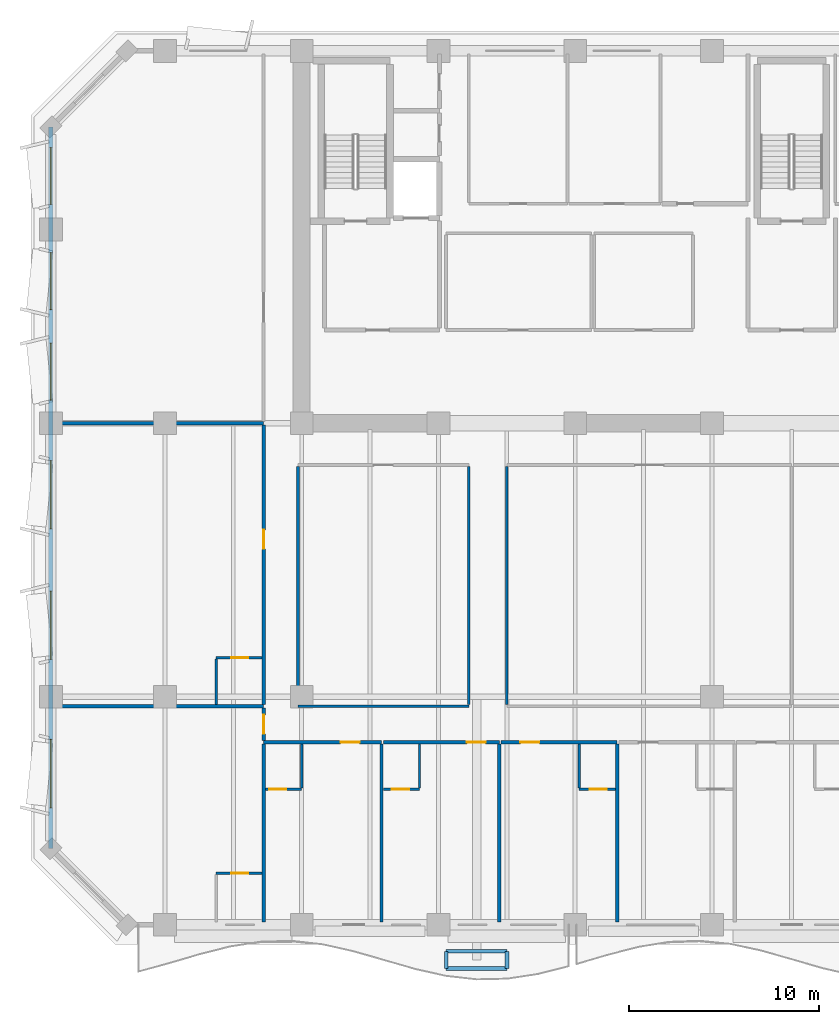
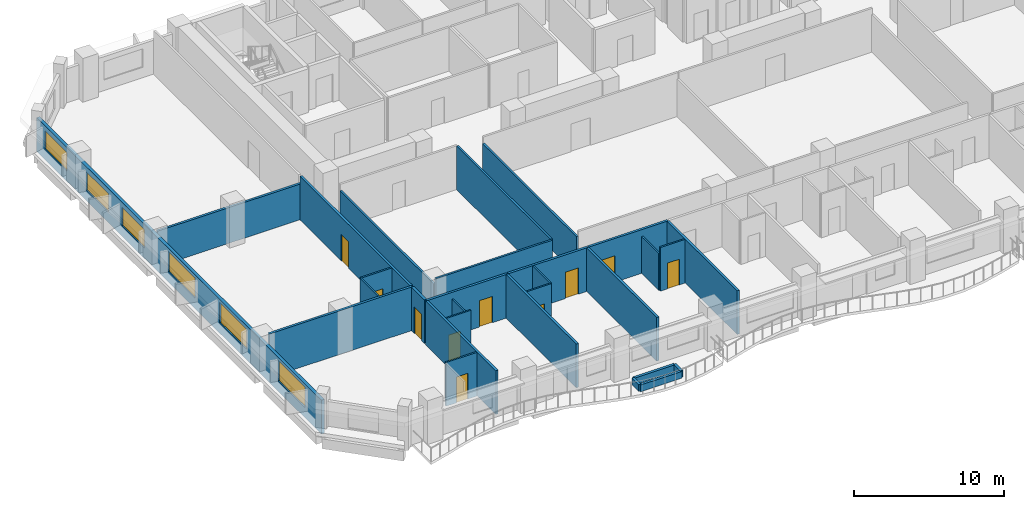
# One storey, part 4 of 15: 29 walls, 10 doors, 6 windows, 16 openings.
"""IFC4 building model written with IfcOpenShell, lengths in metres."""

from ifc_helpers import new_model, si_unit, direction, frame, frame_2d, origin, place, context, subcontext, project, spatial, rectangle, extrude, material, layer, layer_set, type_object, element, fill, save


model = new_model("IFC4")

# Units and contexts
model_context = context("Model", 3, precision=1e-05, world=origin(), true_north=direction((0.0, 1.0)))
body_context = subcontext(model_context, "Body", "Model", "MODEL_VIEW")
ifc_project = project(units=[si_unit("LENGTHUNIT", "METRE"), si_unit("AREAUNIT", "SQUARE_METRE"), si_unit("VOLUMEUNIT", "CUBIC_METRE"), si_unit("PLANEANGLEUNIT", "RADIAN"), si_unit("MASSUNIT", "GRAM", prefix="KILO")], contexts=[model_context])

# Site, building, storey
site_placement = place(None, origin())
site = spatial("IfcSite", under=ifc_project, at=site_placement, CompositionType="ELEMENT")
building_placement = place(site_placement, origin())
building = spatial("IfcBuilding", under=site, at=building_placement, Name="Kaelvorn Grand Hotel", CompositionType="ELEMENT")
storey_placement = place(building_placement, frame((0.0, 0.0, 150.550048828125)))
storey = spatial("IfcBuildingStorey", under=building, at=storey_placement, Name="L36", CompositionType="ELEMENT", Elevation=150.550048828125)

# Wall, openings, windows
ifc_material_1 = material(Name="Concrete C40/50", Category="concrete")
ifc_layer_1 = layer(ifc_material_1, 0.239990234375)
ifc_layer_set_1 = layer_set([ifc_layer_1], Name="Concrete C40/50")
wall_type_1 = type_object("IfcWallType", Name="WL-EXT-240-C40", PredefinedType="SOLIDWALL", material=ifc_layer_set_1)
wall_1_placement = place(storey_placement, frame((3.0, 45.0, 0.0), z_axis=(0.0, 0.0, 1.0), x_axis=(0.0, -1.0, 0.0)))
wall_1 = element("IfcWall", 1, at=wall_1_placement, inside=storey, type_object=wall_type_1, Name="L36 Exterior Architectural Concrete Wall 07", PredefinedType="SOLIDWALL", context=body_context, shape_type="SweptSolid", body=[
    extrude(rectangle(XDim=38.0, YDim=0.239990234375, at=frame_2d((19.0, 0.0))), origin(), (0.0, 0.0, 1.0), 2.760009765625),
])
opening_1_placement = place(wall_1_placement, frame((32.25, 0.0, 0.85009765625)))
opening_1 = element("IfcOpeningElement", 2, at=opening_1_placement, cuts=wall_1, Name="Opening W3", PredefinedType="OPENING", context=body_context, shape_type="SweptSolid", body=[
    extrude(rectangle(XDim=3.60009765625, YDim=1.64990234375, at=frame_2d((1.800048828125, 0.824951171875))), frame((0.0, 0.1298828125, 0.0), z_axis=(0.0, -1.0, 0.0), x_axis=(1.0, 0.0, 0.0)), (0.0, 0.0, 1.0), 0.260009765625),
])
opening_2_placement = place(wall_1_placement, frame((24.43505859375, 0.0, 0.85009765625)))
opening_2 = element("IfcOpeningElement", 3, at=opening_2_placement, cuts=wall_1, Name="Opening W3", PredefinedType="OPENING", context=body_context, shape_type="SweptSolid", body=[
    extrude(rectangle(XDim=3.60009765625, YDim=1.64990234375, at=frame_2d((1.800048828125, 0.824951171875))), frame((0.0, 0.1298828125, 0.0), z_axis=(0.0, -1.0, 0.0), x_axis=(1.0, 0.0, 0.0)), (0.0, 0.0, 1.0), 0.260009765625),
])
opening_3_placement = place(wall_1_placement, frame((17.56494140625, 0.0, 0.85009765625)))
opening_3 = element("IfcOpeningElement", 4, at=opening_3_placement, cuts=wall_1, Name="Opening W3", PredefinedType="OPENING", context=body_context, shape_type="SweptSolid", body=[
    extrude(rectangle(XDim=3.60009765625, YDim=1.64990234375, at=frame_2d((1.800048828125, 0.824951171875))), frame((0.0, 0.1298828125, 0.0), z_axis=(0.0, -1.0, 0.0), x_axis=(1.0, 0.0, 0.0)), (0.0, 0.0, 1.0), 0.260009765625),
])
opening_4_placement = place(wall_1_placement, frame((11.385009765625, 0.0, 0.85009765625)))
opening_4 = element("IfcOpeningElement", 5, at=opening_4_placement, cuts=wall_1, Name="Opening W5", PredefinedType="OPENING", context=body_context, shape_type="SweptSolid", body=[
    extrude(rectangle(XDim=3.0, YDim=1.5, at=frame_2d((1.5, 0.75))), frame((0.0, 0.1298828125, 0.0), z_axis=(0.0, -1.0, 0.0), x_axis=(1.0, 0.0, 0.0)), (0.0, 0.0, 1.0), 0.260009765625),
])
opening_5_placement = place(wall_1_placement, frame((6.614990234375, 0.0, 0.85009765625)))
opening_5 = element("IfcOpeningElement", 6, at=opening_5_placement, cuts=wall_1, Name="Opening W5", PredefinedType="OPENING", context=body_context, shape_type="SweptSolid", body=[
    extrude(rectangle(XDim=3.0, YDim=1.5, at=frame_2d((1.5, 0.75))), frame((0.0, 0.1298828125, 0.0), z_axis=(0.0, -1.0, 0.0), x_axis=(1.0, 0.0, 0.0)), (0.0, 0.0, 1.0), 0.260009765625),
])
opening_6_placement = place(wall_1_placement, frame((1.0849609375, 0.0, 0.85009765625)))
opening_6 = element("IfcOpeningElement", 7, at=opening_6_placement, cuts=wall_1, Name="Opening W5", PredefinedType="OPENING", context=body_context, shape_type="SweptSolid", body=[
    extrude(rectangle(XDim=3.0, YDim=1.5, at=frame_2d((1.5, 0.75))), frame((0.0, 0.1298828125, 0.0), z_axis=(0.0, -1.0, 0.0), x_axis=(1.0, 0.0, 0.0)), (0.0, 0.0, 1.0), 0.260009765625),
])
ifc_material_2 = material(Name="Laminated Low-E Glass", Category="glass")
window_type_1 = type_object("IfcWindowType", Name="WIN-NTH-3000x1500", PartitioningType="SINGLE_PANEL", PredefinedType="WINDOW", material=ifc_material_2)
window_1_placement = place(opening_4_placement, origin())
window_1 = element("IfcWindow", 8, at=window_1_placement, inside=storey, type_object=window_type_1, Name="L36 W Wing Tilted-Frame Ribbon Window W04", OverallHeight=1.5, OverallWidth=3.0, PartitioningType="SINGLE_PANEL", PredefinedType="WINDOW", context=body_context, shape_type="SweptSolid", body=[
    extrude(rectangle(XDim=3.0, YDim=1.5, at=frame_2d((1.5, 0.75))), frame((0.0, 0.030029296875, 0.0), z_axis=(0.0, -1.0, 0.0), x_axis=(1.0, 0.0, 0.0)), (0.0, 0.0, 1.0), 0.06005859375),
])
fill(opening_4, window_1)
window_2_placement = place(opening_5_placement, origin())
window_2 = element("IfcWindow", 9, at=window_2_placement, inside=storey, type_object=window_type_1, Name="L36 W Wing Tilted-Frame Ribbon Window W05", OverallHeight=1.5, OverallWidth=3.0, PartitioningType="SINGLE_PANEL", PredefinedType="WINDOW", context=body_context, shape_type="SweptSolid", body=[
    extrude(rectangle(XDim=3.0, YDim=1.5, at=frame_2d((1.5, 0.75))), frame((0.0, 0.030029296875, 0.0), z_axis=(0.0, -1.0, 0.0), x_axis=(1.0, 0.0, 0.0)), (0.0, 0.0, 1.0), 0.06005859375),
])
fill(opening_5, window_2)
window_3_placement = place(opening_6_placement, origin())
window_3 = element("IfcWindow", 10, at=window_3_placement, inside=storey, type_object=window_type_1, Name="L36 W Wing Tilted-Frame Ribbon Window W06", OverallHeight=1.5, OverallWidth=3.0, PartitioningType="SINGLE_PANEL", PredefinedType="WINDOW", context=body_context, shape_type="SweptSolid", body=[
    extrude(rectangle(XDim=3.0, YDim=1.5, at=frame_2d((1.5, 0.75))), frame((0.0, 0.030029296875, 0.0), z_axis=(0.0, -1.0, 0.0), x_axis=(1.0, 0.0, 0.0)), (0.0, 0.0, 1.0), 0.06005859375),
])
fill(opening_6, window_3)
window_type_2 = type_object("IfcWindowType", Name="WIN-RIB-3600x1750", PartitioningType="SINGLE_PANEL", PredefinedType="WINDOW", material=ifc_material_2)
window_4_placement = place(opening_1_placement, origin())
window_4 = element("IfcWindow", 11, at=window_4_placement, inside=storey, type_object=window_type_2, Name="L36 W Wing Tilted-Frame Ribbon Window W01", OverallHeight=1.64990234375, OverallWidth=3.60009765625, PartitioningType="SINGLE_PANEL", PredefinedType="WINDOW", context=body_context, shape_type="SweptSolid", body=[
    extrude(rectangle(XDim=3.60009765625, YDim=1.64990234375, at=frame_2d((1.800048828125, 0.824951171875))), frame((0.0, 0.030029296875, 0.0), z_axis=(0.0, -1.0, 0.0), x_axis=(1.0, 0.0, 0.0)), (0.0, 0.0, 1.0), 0.06005859375),
])
fill(opening_1, window_4)
window_5_placement = place(opening_2_placement, origin())
window_5 = element("IfcWindow", 12, at=window_5_placement, inside=storey, type_object=window_type_2, Name="L36 W Wing Tilted-Frame Ribbon Window W02", OverallHeight=1.64990234375, OverallWidth=3.60009765625, PartitioningType="SINGLE_PANEL", PredefinedType="WINDOW", context=body_context, shape_type="SweptSolid", body=[
    extrude(rectangle(XDim=3.60009765625, YDim=1.64990234375, at=frame_2d((1.800048828125, 0.824951171875))), frame((0.0, 0.030029296875, 0.0), z_axis=(0.0, -1.0, 0.0), x_axis=(1.0, 0.0, 0.0)), (0.0, 0.0, 1.0), 0.06005859375),
])
fill(opening_2, window_5)
window_6_placement = place(opening_3_placement, origin())
window_6 = element("IfcWindow", 13, at=window_6_placement, inside=storey, type_object=window_type_2, Name="L36 W Wing Tilted-Frame Ribbon Window W03", OverallHeight=1.64990234375, OverallWidth=3.60009765625, PartitioningType="SINGLE_PANEL", PredefinedType="WINDOW", context=body_context, shape_type="SweptSolid", body=[
    extrude(rectangle(XDim=3.60009765625, YDim=1.64990234375, at=frame_2d((1.800048828125, 0.824951171875))), frame((0.0, 0.030029296875, 0.0), z_axis=(0.0, -1.0, 0.0), x_axis=(1.0, 0.0, 0.0)), (0.0, 0.0, 1.0), 0.06005859375),
])
fill(opening_3, window_6)

# Wall, opening, door
ifc_material_3 = material(Name="Moisture-Resistant Tile & Stud Board")
ifc_layer_2 = layer(ifc_material_3, 0.125)
ifc_layer_set_2 = layer_set([ifc_layer_2], Name="Moisture-Resistant Tile & Stud Board")
wall_type_2 = type_object("IfcWallType", Name="WL-PART-125-WET", PredefinedType="PARTITIONING", material=ifc_layer_set_2)
wall_2_placement = place(storey_placement, frame((14.294921875, 10.139892578125, 0.0), z_axis=(0.0, 0.0, 1.0), x_axis=(1.0, 0.0, 0.0)))
wall_2 = element("IfcWall", 14, at=wall_2_placement, inside=storey, type_object=wall_type_2, Name="L36 En-suite Bathroom L36-01 S Partition", PredefinedType="PARTITIONING", context=body_context, shape_type="SweptSolid", body=[
    extrude(rectangle(XDim=1.905029296875, YDim=0.125, at=frame_2d((0.95263671875, 0.0))), origin(), (0.0, 0.0, 1.0), 3.56005859375),
])
opening_7_placement = place(wall_2_placement, frame((0.205078125, 0.0, 0.0)))
opening_7 = element("IfcOpeningElement", 15, at=opening_7_placement, cuts=wall_2, Name="Opening DI4", PredefinedType="OPENING", context=body_context, shape_type="SweptSolid", body=[
    extrude(rectangle(XDim=0.89990234375, YDim=2.10009765625, at=frame_2d((0.449951171875, 1.050048828125))), frame((0.0, 0.072509765625, 0.0), z_axis=(0.0, -1.0, 0.0), x_axis=(1.0, 0.0, 0.0)), (0.0, 0.0, 1.0), 0.14501953125),
])
ifc_material_4 = material(Name="Timber Veneer Leaf", Category="wood")
door_type_1 = type_object("IfcDoorType", Name="DR-INT-BATH-900x2100", OperationType="NOTDEFINED", PredefinedType="DOOR", material=ifc_material_4)
door_1_placement = place(opening_7_placement, origin())
door_1 = element("IfcDoor", 16, at=door_1_placement, inside=storey, type_object=door_type_1, Name="L36 En-suite Bathroom L36-01 Door", OperationType="SINGLE_SWING_LEFT", OverallHeight=2.10009765625, OverallWidth=0.89990234375, PredefinedType="DOOR", context=body_context, shape_type="SweptSolid", body=[
    extrude(rectangle(XDim=0.89990234375, YDim=2.10009765625, at=frame_2d((0.449951171875, 1.050048828125))), frame((0.0, 0.02490234375, 0.0), z_axis=(0.0, -1.0, 0.0), x_axis=(1.0, 0.0, 0.0)), (0.0, 0.0, 1.0), 0.050048828125),
])
fill(opening_7, door_1)

# Wall
wall_3_placement = place(storey_placement, frame((16.199951171875, 10.20751953125, 0.0), z_axis=(0.0, 0.0, 1.0), x_axis=(0.0, 1.0, 0.0)))
element("IfcWall", 17, at=wall_3_placement, inside=storey, type_object=wall_type_2, Name="L36 En-suite Bathroom L36-01 E Partition", PredefinedType="PARTITIONING", context=body_context, shape_type="SweptSolid", body=[
    extrude(rectangle(XDim=2.29736328125, YDim=0.125, at=frame_2d((1.148681640625, 0.0))), origin(), (0.0, 0.0, 1.0), 3.010009765625),
])

# Wall, opening, door
wall_4_placement = place(storey_placement, frame((20.49658203125, 10.139892578125, 0.0), z_axis=(0.0, 0.0, 1.0), x_axis=(1.0, 0.0, 0.0)))
wall_4 = element("IfcWall", 18, at=wall_4_placement, inside=storey, type_object=wall_type_2, Name="L36 En-suite Bathroom L36-02 S Partition", PredefinedType="PARTITIONING", context=body_context, shape_type="SweptSolid", body=[
    extrude(rectangle(XDim=1.905029296875, YDim=0.125, at=frame_2d((0.95263671875, 0.0))), origin(), (0.0, 0.0, 1.0), 3.56005859375),
])
opening_8_placement = place(wall_4_placement, frame((0.455078125, 0.0, 0.0)))
opening_8 = element("IfcOpeningElement", 19, at=opening_8_placement, cuts=wall_4, Name="Opening DI4", PredefinedType="OPENING", context=body_context, shape_type="SweptSolid", body=[
    extrude(rectangle(XDim=0.89990234375, YDim=2.10009765625, at=frame_2d((0.449951171875, 1.050048828125))), frame((0.0, 0.072509765625, 0.0), z_axis=(0.0, -1.0, 0.0), x_axis=(1.0, 0.0, 0.0)), (0.0, 0.0, 1.0), 0.14501953125),
])
door_2_placement = place(opening_8_placement, origin())
door_2 = element("IfcDoor", 20, at=door_2_placement, inside=storey, type_object=door_type_1, Name="L36 En-suite Bathroom L36-02 Door", OperationType="SINGLE_SWING_LEFT", OverallHeight=2.10009765625, OverallWidth=0.89990234375, PredefinedType="DOOR", context=body_context, shape_type="SweptSolid", body=[
    extrude(rectangle(XDim=0.89990234375, YDim=2.10009765625, at=frame_2d((0.449951171875, 1.050048828125))), frame((0.0, 0.02490234375, 0.0), z_axis=(0.0, -1.0, 0.0), x_axis=(1.0, 0.0, 0.0)), (0.0, 0.0, 1.0), 0.050048828125),
])
fill(opening_8, door_2)

# Wall
wall_5_placement = place(storey_placement, frame((22.401611328125, 10.20751953125, 0.0), z_axis=(0.0, 0.0, 1.0), x_axis=(0.0, 1.0, 0.0)))
element("IfcWall", 21, at=wall_5_placement, inside=storey, type_object=wall_type_2, Name="L36 En-suite Bathroom L36-02 E Partition", PredefinedType="PARTITIONING", context=body_context, shape_type="SweptSolid", body=[
    extrude(rectangle(XDim=2.29736328125, YDim=0.125, at=frame_2d((1.148681640625, 0.0))), origin(), (0.0, 0.0, 1.0), 3.56005859375),
])

# Wall, opening, door
wall_6_placement = place(storey_placement, frame((30.8046875, 10.139892578125, 0.0), z_axis=(0.0, 0.0, 1.0), x_axis=(1.0, 0.0, 0.0)))
wall_6 = element("IfcWall", 22, at=wall_6_placement, inside=storey, type_object=wall_type_2, Name="L36 En-suite Bathroom L36-03 S Partition", PredefinedType="PARTITIONING", context=body_context, shape_type="SweptSolid", body=[
    extrude(rectangle(XDim=1.905029296875, YDim=0.125, at=frame_2d((0.95263671875, 0.0))), origin(), (0.0, 0.0, 1.0), 3.56005859375),
])
opening_9_placement = place(wall_6_placement, frame((0.550048828125, 0.0, 0.0)))
opening_9 = element("IfcOpeningElement", 23, at=opening_9_placement, cuts=wall_6, Name="Opening DI4", PredefinedType="OPENING", context=body_context, shape_type="SweptSolid", body=[
    extrude(rectangle(XDim=0.89990234375, YDim=2.10009765625, at=frame_2d((0.449951171875, 1.050048828125))), frame((0.0, 0.072509765625, 0.0), z_axis=(0.0, -1.0, 0.0), x_axis=(1.0, 0.0, 0.0)), (0.0, 0.0, 1.0), 0.14501953125),
])
door_3_placement = place(opening_9_placement, origin())
door_3 = element("IfcDoor", 24, at=door_3_placement, inside=storey, type_object=door_type_1, Name="L36 En-suite Bathroom L36-03 Door", OperationType="SINGLE_SWING_LEFT", OverallHeight=2.10009765625, OverallWidth=0.89990234375, PredefinedType="DOOR", context=body_context, shape_type="SweptSolid", body=[
    extrude(rectangle(XDim=0.89990234375, YDim=2.10009765625, at=frame_2d((0.449951171875, 1.050048828125))), frame((0.0, 0.02490234375, 0.0), z_axis=(0.0, -1.0, 0.0), x_axis=(1.0, 0.0, 0.0)), (0.0, 0.0, 1.0), 0.050048828125),
])
fill(opening_9, door_3)

# Wall
wall_7_placement = place(storey_placement, frame((30.8046875, 10.20751953125, 0.0), z_axis=(0.0, 0.0, 1.0), x_axis=(0.0, 1.0, 0.0)))
element("IfcWall", 25, at=wall_7_placement, inside=storey, type_object=wall_type_2, Name="L36 En-suite Bathroom L36-03 W Partition", PredefinedType="PARTITIONING", context=body_context, shape_type="SweptSolid", body=[
    extrude(rectangle(XDim=2.29736328125, YDim=0.125, at=frame_2d((1.148681640625, 0.0))), origin(), (0.0, 0.0, 1.0), 3.010009765625),
])

# Wall, opening, door
wall_8_placement = place(storey_placement, frame((11.699951171875, 5.699951171875, 0.0), z_axis=(0.0, 0.0, 1.0), x_axis=(1.0, 0.0, 0.0)))
wall_8 = element("IfcWall", 26, at=wall_8_placement, inside=storey, type_object=wall_type_2, Name="L36 En-suite Bathroom L36-10 N Partition", PredefinedType="PARTITIONING", context=body_context, shape_type="SweptSolid", body=[
    extrude(rectangle(XDim=2.405029296875, YDim=0.125, at=frame_2d((1.20263671875, 0.0))), origin(), (0.0, 0.0, 1.0), 3.56005859375),
])
opening_10_placement = place(wall_8_placement, frame((0.800048828125, 0.0, 0.0)))
opening_10 = element("IfcOpeningElement", 27, at=opening_10_placement, cuts=wall_8, Name="Opening DI4", PredefinedType="OPENING", context=body_context, shape_type="SweptSolid", body=[
    extrude(rectangle(XDim=0.89990234375, YDim=2.10009765625, at=frame_2d((0.449951171875, 1.050048828125))), frame((0.0, 0.072509765625, 0.0), z_axis=(0.0, -1.0, 0.0), x_axis=(1.0, 0.0, 0.0)), (0.0, 0.0, 1.0), 0.14501953125),
])
door_4_placement = place(opening_10_placement, origin())
door_4 = element("IfcDoor", 28, at=door_4_placement, inside=storey, type_object=door_type_1, Name="L36 En-suite Bathroom L36-10 Door", OperationType="SINGLE_SWING_LEFT", OverallHeight=2.10009765625, OverallWidth=0.89990234375, PredefinedType="DOOR", context=body_context, shape_type="SweptSolid", body=[
    extrude(rectangle(XDim=0.89990234375, YDim=2.10009765625, at=frame_2d((0.449951171875, 1.050048828125))), frame((0.0, 0.02490234375, 0.0), z_axis=(0.0, -1.0, 0.0), x_axis=(1.0, 0.0, 0.0)), (0.0, 0.0, 1.0), 0.050048828125),
])
fill(opening_10, door_4)

wall_9_placement = place(storey_placement, frame((11.699951171875, 17.050048828125, 0.0), z_axis=(0.0, 0.0, 1.0), x_axis=(1.0, 0.0, 0.0)))
wall_9 = element("IfcWall", 29, at=wall_9_placement, inside=storey, type_object=wall_type_2, Name="L36 En-suite Bathroom L36-11 N Partition", PredefinedType="PARTITIONING", context=body_context, shape_type="SweptSolid", body=[
    extrude(rectangle(XDim=2.405029296875, YDim=0.125, at=frame_2d((1.20263671875, 0.0))), origin(), (0.0, 0.0, 1.0), 3.56005859375),
])
opening_11_placement = place(wall_9_placement, frame((0.800048828125, 0.0, 0.0)))
opening_11 = element("IfcOpeningElement", 30, at=opening_11_placement, cuts=wall_9, Name="Opening DI4", PredefinedType="OPENING", context=body_context, shape_type="SweptSolid", body=[
    extrude(rectangle(XDim=0.89990234375, YDim=2.10009765625, at=frame_2d((0.449951171875, 1.050048828125))), frame((0.0, 0.072509765625, 0.0), z_axis=(0.0, -1.0, 0.0), x_axis=(1.0, 0.0, 0.0)), (0.0, 0.0, 1.0), 0.14501953125),
])
door_5_placement = place(opening_11_placement, origin())
door_5 = element("IfcDoor", 31, at=door_5_placement, inside=storey, type_object=door_type_1, Name="L36 En-suite Bathroom L36-11 Door", OperationType="SINGLE_SWING_LEFT", OverallHeight=2.10009765625, OverallWidth=0.89990234375, PredefinedType="DOOR", context=body_context, shape_type="SweptSolid", body=[
    extrude(rectangle(XDim=0.89990234375, YDim=2.10009765625, at=frame_2d((0.449951171875, 1.050048828125))), frame((0.0, 0.02490234375, 0.0), z_axis=(0.0, -1.0, 0.0), x_axis=(1.0, 0.0, 0.0)), (0.0, 0.0, 1.0), 0.050048828125),
])
fill(opening_11, door_5)

# Walls
wall_10_placement = place(storey_placement, frame((11.699951171875, 14.594970703125, 0.0), z_axis=(0.0, 0.0, 1.0), x_axis=(0.0, 1.0, 0.0)))
element("IfcWall", 32, at=wall_10_placement, inside=storey, type_object=wall_type_2, Name="L36 En-suite Bathroom L36-11 W Partition", PredefinedType="PARTITIONING", context=body_context, shape_type="SweptSolid", body=[
    extrude(rectangle(XDim=2.387451171875, YDim=0.125, at=frame_2d((1.19384765625, 0.0))), origin(), (0.0, 0.0, 1.0), 3.56005859375),
])
ifc_material_5 = material(Name="Acoustic Gypsum & Stud Partition")
ifc_layer_3 = layer(ifc_material_5, 0.14990234375)
ifc_layer_set_3 = layer_set([ifc_layer_3], Name="Acoustic Gypsum & Stud Partition")
wall_type_3 = type_object("IfcWallType", Name="WL-PART-150-EI60", PredefinedType="PARTITIONING", material=ifc_layer_set_3)
wall_11_placement = place(storey_placement, frame((16.0, 14.5, 0.0), z_axis=(0.0, 0.0, 1.0), x_axis=(1.0, 0.0, 0.0)))
element("IfcWall", 33, at=wall_11_placement, inside=storey, type_object=wall_type_3, Name="L36 Reading Library Lounge S Partition", PredefinedType="PARTITIONING", context=body_context, shape_type="SweptSolid", body=[
    extrude(rectangle(XDim=9.0, YDim=0.14990234375, at=frame_2d((4.5, 0.0))), origin(), (0.0, 0.0, 1.0), 3.56005859375),
])
wall_12_placement = place(storey_placement, frame((16.0, 14.580078125, 0.0), z_axis=(0.0, 0.0, 1.0), x_axis=(0.0, 1.0, 0.0)))
element("IfcWall", 34, at=wall_12_placement, inside=storey, type_object=wall_type_3, Name="L36 Reading Library Lounge W Partition", PredefinedType="PARTITIONING", context=body_context, shape_type="SweptSolid", body=[
    extrude(rectangle(XDim=12.5400390625, YDim=0.14990234375, at=frame_2d((6.27001953125, 0.0))), origin(), (0.0, 0.0, 1.0), 3.06005859375),
])
wall_13_placement = place(storey_placement, frame((25.0, 14.580078125, 0.0), z_axis=(0.0, 0.0, 1.0), x_axis=(0.0, 1.0, 0.0)))
element("IfcWall", 35, at=wall_13_placement, inside=storey, type_object=wall_type_3, Name="L36 Reading Library Lounge E Partition", PredefinedType="PARTITIONING", context=body_context, shape_type="SweptSolid", body=[
    extrude(rectangle(XDim=12.5400390625, YDim=0.14990234375, at=frame_2d((6.27001953125, 0.0))), origin(), (0.0, 0.0, 1.0), 3.56005859375),
])
wall_14_placement = place(storey_placement, frame((27.0, 14.580078125, 0.0), z_axis=(0.0, 0.0, 1.0), x_axis=(0.0, 1.0, 0.0)))
element("IfcWall", 36, at=wall_14_placement, inside=storey, type_object=wall_type_3, Name="L36 Chef Finishing Kitchen W Partition", PredefinedType="PARTITIONING", context=body_context, shape_type="SweptSolid", body=[
    extrude(rectangle(XDim=12.5400390625, YDim=0.14990234375, at=frame_2d((6.27001953125, 0.0))), origin(), (0.0, 0.0, 1.0), 3.06005859375),
])

# Wall, opening, door
ifc_layer_4 = layer(ifc_material_5, 0.179931640625)
ifc_layer_set_4 = layer_set([ifc_layer_4], Name="Acoustic Gypsum & Stud Partition")
wall_type_4 = type_object("IfcWallType", Name="WL-PART-180-EI60", PredefinedType="PARTITIONING", material=ifc_layer_set_4)
wall_15_placement = place(storey_placement, frame((14.199951171875, 12.60009765625, 0.0), z_axis=(0.0, 0.0, 1.0), x_axis=(1.0, 0.0, 0.0)))
wall_15 = element("IfcWall", 37, at=wall_15_placement, inside=storey, type_object=wall_type_4, Name="L36 Mid-Rise Signature Suite L36-01 N Partition", PredefinedType="PARTITIONING", context=body_context, shape_type="SweptSolid", body=[
    extrude(rectangle(XDim=6.20166015625, YDim=0.179931640625, at=frame_2d((3.100830078125, 0.0))), origin(), (0.0, 0.0, 1.0), 3.56005859375),
])
opening_12_placement = place(wall_15_placement, frame((4.05078125, 0.0, 0.0)))
opening_12 = element("IfcOpeningElement", 38, at=opening_12_placement, cuts=wall_15, Name="Opening DI3", PredefinedType="OPENING", context=body_context, shape_type="SweptSolid", body=[
    extrude(rectangle(XDim=1.0, YDim=2.14990234375, at=frame_2d((0.5, 1.074951171875))), frame((0.0, 0.10009765625, 0.0), z_axis=(0.0, -1.0, 0.0), x_axis=(1.0, 0.0, 0.0)), (0.0, 0.0, 1.0), 0.199951171875),
])
ifc_material_6 = material(Name="Timber Veneer Fire Leaf", Category="wood")
door_type_2 = type_object("IfcDoorType", Name="DR-INT-GUEST-1000x2150", OperationType="NOTDEFINED", PredefinedType="DOOR", material=ifc_material_6)
door_6_placement = place(opening_12_placement, origin())
door_6 = element("IfcDoor", 39, at=door_6_placement, inside=storey, type_object=door_type_2, Name="L36 Mid-Rise Signature Suite L36-01 Door", OperationType="SINGLE_SWING_RIGHT", OverallHeight=2.14990234375, OverallWidth=1.0, PredefinedType="DOOR", context=body_context, shape_type="SweptSolid", body=[
    extrude(rectangle(XDim=1.0, YDim=2.14990234375, at=frame_2d((0.5, 1.074951171875))), frame((0.0, 0.02490234375, 0.0), z_axis=(0.0, -1.0, 0.0), x_axis=(1.0, 0.0, 0.0)), (0.0, 0.0, 1.0), 0.050048828125),
])
fill(opening_12, door_6)

# Walls
for number, where, z_axis, x_axis, name in (
    (40, (14.199951171875, 3.14990234375, 0.0), (0.0, 0.0, 1.0), (0.0, 1.0, 0.0), "L36 Mid-Rise Signature Suite L36-01 W Partition"),
    (41, (20.401611328125, 3.14990234375, 0.0), (0.0, 0.0, 1.0), (0.0, 1.0, 0.0), "L36 Mid-Rise Signature Suite L36-01 E Partition"),
):
    element("IfcWall", number, at=place(storey_placement, frame(where, z_axis=z_axis, x_axis=x_axis)), inside=storey, type_object=wall_type_4, Name=name, PredefinedType="PARTITIONING", context=body_context, shape_type="SweptSolid", body=[
        extrude(rectangle(XDim=9.35498046875, YDim=0.179931640625, at=frame_2d((4.677490234375, 0.0))), origin(), (0.0, 0.0, 1.0), 3.56005859375),
    ])

# Wall, opening, door
wall_16_placement = place(storey_placement, frame((20.49658203125, 12.60009765625, 0.0), z_axis=(0.0, 0.0, 1.0), x_axis=(1.0, 0.0, 0.0)))
wall_16 = element("IfcWall", 42, at=wall_16_placement, inside=storey, type_object=wall_type_4, Name="L36 Mid-Rise Signature Suite L36-02 N Partition", PredefinedType="PARTITIONING", context=body_context, shape_type="SweptSolid", body=[
    extrude(rectangle(XDim=6.1064453125, YDim=0.179931640625, at=frame_2d((3.05322265625, 0.0))), origin(), (0.0, 0.0, 1.0), 3.56005859375),
])
opening_13_placement = place(wall_16_placement, frame((4.39501953125, 0.0, 0.0)))
opening_13 = element("IfcOpeningElement", 43, at=opening_13_placement, cuts=wall_16, Name="Opening DI3", PredefinedType="OPENING", context=body_context, shape_type="SweptSolid", body=[
    extrude(rectangle(XDim=1.0, YDim=2.14990234375, at=frame_2d((0.5, 1.074951171875))), frame((0.0, 0.10009765625, 0.0), z_axis=(0.0, -1.0, 0.0), x_axis=(1.0, 0.0, 0.0)), (0.0, 0.0, 1.0), 0.199951171875),
])
door_7_placement = place(opening_13_placement, origin())
door_7 = element("IfcDoor", 44, at=door_7_placement, inside=storey, type_object=door_type_2, Name="L36 Mid-Rise Signature Suite L36-02 Door", OperationType="SINGLE_SWING_RIGHT", OverallHeight=2.14990234375, OverallWidth=1.0, PredefinedType="DOOR", context=body_context, shape_type="SweptSolid", body=[
    extrude(rectangle(XDim=1.0, YDim=2.14990234375, at=frame_2d((0.5, 1.074951171875))), frame((0.0, 0.02490234375, 0.0), z_axis=(0.0, -1.0, 0.0), x_axis=(1.0, 0.0, 0.0)), (0.0, 0.0, 1.0), 0.050048828125),
])
fill(opening_13, door_7)

# Wall
wall_17_placement = place(storey_placement, frame((26.60302734375, 3.14990234375, 0.0), z_axis=(0.0, 0.0, 1.0), x_axis=(0.0, 1.0, 0.0)))
element("IfcWall", 45, at=wall_17_placement, inside=storey, type_object=wall_type_4, Name="L36 Mid-Rise Signature Suite L36-02 E Partition", PredefinedType="PARTITIONING", context=body_context, shape_type="SweptSolid", body=[
    extrude(rectangle(XDim=9.35498046875, YDim=0.179931640625, at=frame_2d((4.677490234375, 0.0))), origin(), (0.0, 0.0, 1.0), 3.56005859375),
])

# Wall, opening, door
wall_18_placement = place(storey_placement, frame((26.697998046875, 12.60009765625, 0.0), z_axis=(0.0, 0.0, 1.0), x_axis=(1.0, 0.0, 0.0)))
wall_18 = element("IfcWall", 46, at=wall_18_placement, inside=storey, type_object=wall_type_4, Name="L36 Mid-Rise Signature Suite L36-03 N Partition", PredefinedType="PARTITIONING", context=body_context, shape_type="SweptSolid", body=[
    extrude(rectangle(XDim=6.106689453125, YDim=0.179931640625, at=frame_2d((3.05322265625, 0.0))), origin(), (0.0, 0.0, 1.0), 3.56005859375),
])
opening_14_placement = place(wall_18_placement, frame((1.013427734375, 0.0, 0.0)))
opening_14 = element("IfcOpeningElement", 47, at=opening_14_placement, cuts=wall_18, Name="Opening DI3", PredefinedType="OPENING", context=body_context, shape_type="SweptSolid", body=[
    extrude(rectangle(XDim=1.0, YDim=2.14990234375, at=frame_2d((0.5, 1.074951171875))), frame((0.0, 0.10009765625, 0.0), z_axis=(0.0, -1.0, 0.0), x_axis=(1.0, 0.0, 0.0)), (0.0, 0.0, 1.0), 0.199951171875),
])
door_8_placement = place(opening_14_placement, origin())
door_8 = element("IfcDoor", 48, at=door_8_placement, inside=storey, type_object=door_type_2, Name="L36 Mid-Rise Signature Suite L36-03 Door", OperationType="SINGLE_SWING_RIGHT", OverallHeight=2.14990234375, OverallWidth=1.0, PredefinedType="DOOR", context=body_context, shape_type="SweptSolid", body=[
    extrude(rectangle(XDim=1.0, YDim=2.14990234375, at=frame_2d((0.5, 1.074951171875))), frame((0.0, 0.02490234375, 0.0), z_axis=(0.0, -1.0, 0.0), x_axis=(1.0, 0.0, 0.0)), (0.0, 0.0, 1.0), 0.050048828125),
])
fill(opening_14, door_8)

# Walls
wall_19_placement = place(storey_placement, frame((32.8046875, 3.14990234375, 0.0), z_axis=(0.0, 0.0, 1.0), x_axis=(0.0, 1.0, 0.0)))
element("IfcWall", 49, at=wall_19_placement, inside=storey, type_object=wall_type_4, Name="L36 Mid-Rise Signature Suite L36-03 E Partition", PredefinedType="PARTITIONING", context=body_context, shape_type="SweptSolid", body=[
    extrude(rectangle(XDim=9.35498046875, YDim=0.179931640625, at=frame_2d((4.677490234375, 0.0))), origin(), (0.0, 0.0, 1.0), 3.56005859375),
])
wall_20_placement = place(storey_placement, frame((3.14990234375, 14.5, 0.0), z_axis=(0.0, 0.0, 1.0), x_axis=(1.0, 0.0, 0.0)))
element("IfcWall", 50, at=wall_20_placement, inside=storey, type_object=wall_type_4, Name="L36 South-West Chamfer Suite L36-10 N Partition", PredefinedType="PARTITIONING", context=body_context, shape_type="SweptSolid", body=[
    extrude(rectangle(XDim=11.050048828125, YDim=0.179931640625, at=frame_2d((5.52490234375, 0.0))), origin(), (0.0, 0.0, 1.0), 3.56005859375),
])

# Wall, opening, door
wall_21_placement = place(storey_placement, frame((14.199951171875, 12.695068359375, 0.0), z_axis=(0.0, 0.0, 1.0), x_axis=(0.0, 1.0, 0.0)))
wall_21 = element("IfcWall", 51, at=wall_21_placement, inside=storey, type_object=wall_type_4, Name="L36 South-West Chamfer Suite L36-10 E Partition", PredefinedType="PARTITIONING", context=body_context, shape_type="SweptSolid", body=[
    extrude(rectangle(XDim=1.7099609375, YDim=0.179931640625, at=frame_2d((0.85498046875, 0.0))), origin(), (0.0, 0.0, 1.0), 3.56005859375),
])
opening_15_placement = place(wall_21_placement, frame((0.35009765625, 0.0, 0.0)))
opening_15 = element("IfcOpeningElement", 52, at=opening_15_placement, cuts=wall_21, Name="Opening DI3", PredefinedType="OPENING", context=body_context, shape_type="SweptSolid", body=[
    extrude(rectangle(XDim=1.0, YDim=2.14990234375, at=frame_2d((0.5, 1.074951171875))), frame((0.0, 0.10009765625, 0.0), z_axis=(0.0, -1.0, 0.0), x_axis=(1.0, 0.0, 0.0)), (0.0, 0.0, 1.0), 0.199951171875),
])
door_9_placement = place(opening_15_placement, origin())
door_9 = element("IfcDoor", 53, at=door_9_placement, inside=storey, type_object=door_type_2, Name="L36 South-West Chamfer Suite L36-10 Door", OperationType="SINGLE_SWING_RIGHT", OverallHeight=2.14990234375, OverallWidth=1.0, PredefinedType="DOOR", context=body_context, shape_type="SweptSolid", body=[
    extrude(rectangle(XDim=1.0, YDim=2.14990234375, at=frame_2d((0.5, 1.074951171875))), frame((0.0, 0.02490234375, 0.0), z_axis=(0.0, -1.0, 0.0), x_axis=(1.0, 0.0, 0.0)), (0.0, 0.0, 1.0), 0.050048828125),
])
fill(opening_15, door_9)

# Wall
wall_22_placement = place(storey_placement, frame((3.14990234375, 29.39990234375, 0.0), z_axis=(0.0, 0.0, 1.0), x_axis=(1.0, 0.0, 0.0)))
element("IfcWall", 54, at=wall_22_placement, inside=storey, type_object=wall_type_4, Name="L36 West End Panoramic Suite L36-11 N Partition", PredefinedType="PARTITIONING", context=body_context, shape_type="SweptSolid", body=[
    extrude(rectangle(XDim=11.050048828125, YDim=0.179931640625, at=frame_2d((5.52490234375, 0.0))), origin(), (0.0, 0.0, 1.0), 2.909912109375),
])

# Wall, opening, door
wall_23_placement = place(storey_placement, frame((14.199951171875, 14.594970703125, 0.0), z_axis=(0.0, 0.0, 1.0), x_axis=(0.0, 1.0, 0.0)))
wall_23 = element("IfcWall", 55, at=wall_23_placement, inside=storey, type_object=wall_type_4, Name="L36 West End Panoramic Suite L36-11 E Partition", PredefinedType="PARTITIONING", context=body_context, shape_type="SweptSolid", body=[
    extrude(rectangle(XDim=14.7099609375, YDim=0.179931640625, at=frame_2d((7.35498046875, 0.0))), origin(), (0.0, 0.0, 1.0), 3.56005859375),
])
opening_16_placement = place(wall_23_placement, frame((8.18994140625, 0.0, 0.0)))
opening_16 = element("IfcOpeningElement", 56, at=opening_16_placement, cuts=wall_23, Name="Opening DI3", PredefinedType="OPENING", context=body_context, shape_type="SweptSolid", body=[
    extrude(rectangle(XDim=1.0, YDim=2.14990234375, at=frame_2d((0.5, 1.074951171875))), frame((0.0, 0.10009765625, 0.0), z_axis=(0.0, -1.0, 0.0), x_axis=(1.0, 0.0, 0.0)), (0.0, 0.0, 1.0), 0.199951171875),
])
door_10_placement = place(opening_16_placement, origin())
door_10 = element("IfcDoor", 57, at=door_10_placement, inside=storey, type_object=door_type_2, Name="L36 West End Panoramic Suite L36-11 Door", OperationType="SINGLE_SWING_RIGHT", OverallHeight=2.14990234375, OverallWidth=1.0, PredefinedType="DOOR", context=body_context, shape_type="SweptSolid", body=[
    extrude(rectangle(XDim=1.0, YDim=2.14990234375, at=frame_2d((0.5, 1.074951171875))), frame((0.0, 0.02490234375, 0.0), z_axis=(0.0, -1.0, 0.0), x_axis=(1.0, 0.0, 0.0)), (0.0, 0.0, 1.0), 0.050048828125),
])
fill(opening_16, door_10)

# Walls
ifc_layer_5 = layer(ifc_material_1, 0.199951171875)
ifc_layer_set_5 = layer_set([ifc_layer_5], Name="Concrete C40/50")
wall_type_5 = type_object("IfcWallType", Name="WL-TREE-PLANTER-200", PredefinedType="PARAPET", material=ifc_layer_set_5)
wall_24_placement = place(storey_placement, frame((23.8095703125, 0.699951171875, 0.0), z_axis=(0.0, 0.0, 1.0), x_axis=(1.0, 0.0, 0.0)))
element("IfcWall", 58, at=wall_24_placement, inside=storey, type_object=wall_type_5, Name="L36 Planted Balcony Structural TREE PLANTER Kerb 1-S", PredefinedType="PARAPET", context=body_context, shape_type="SweptSolid", body=[
    extrude(rectangle(XDim=3.199951171875, YDim=0.199951171875, at=frame_2d((1.60009765625, 0.0))), origin(), (0.0, 0.0, 1.0), 0.550048828125),
])
wall_25_placement = place(storey_placement, frame((27.009521484375, 0.699951171875, 0.0), z_axis=(0.0, 0.0, 1.0), x_axis=(0.0, 1.0, 0.0)))
element("IfcWall", 59, at=wall_25_placement, inside=storey, type_object=wall_type_5, Name="L36 Planted Balcony Structural TREE PLANTER Kerb 1-E", PredefinedType="PARAPET", context=body_context, shape_type="SweptSolid", body=[
    extrude(rectangle(XDim=0.900146484375, YDim=0.199951171875, at=frame_2d((0.4501953125, 0.0))), origin(), (0.0, 0.0, 1.0), 0.550048828125),
])
wall_26_placement = place(storey_placement, frame((27.009521484375, 1.60009765625, 0.0), z_axis=(0.0, 0.0, 1.0), x_axis=(-1.0, 0.0, 0.0)))
element("IfcWall", 60, at=wall_26_placement, inside=storey, type_object=wall_type_5, Name="L36 Planted Balcony Structural TREE PLANTER Kerb 1-N", PredefinedType="PARAPET", context=body_context, shape_type="SweptSolid", body=[
    extrude(rectangle(XDim=3.199951171875, YDim=0.199951171875, at=frame_2d((1.60009765625, 0.0))), origin(), (0.0, 0.0, 1.0), 0.550048828125),
])
wall_27_placement = place(storey_placement, frame((23.8095703125, 1.60009765625, 0.0), z_axis=(0.0, 0.0, 1.0), x_axis=(0.0, -1.0, 0.0)))
element("IfcWall", 61, at=wall_27_placement, inside=storey, type_object=wall_type_5, Name="L36 Planted Balcony Structural TREE PLANTER Kerb 1-W", PredefinedType="PARAPET", context=body_context, shape_type="SweptSolid", body=[
    extrude(rectangle(XDim=0.900146484375, YDim=0.199951171875, at=frame_2d((0.4501953125, 0.0))), origin(), (0.0, 0.0, 1.0), 0.550048828125),
])

save(model, "model.ifc")
